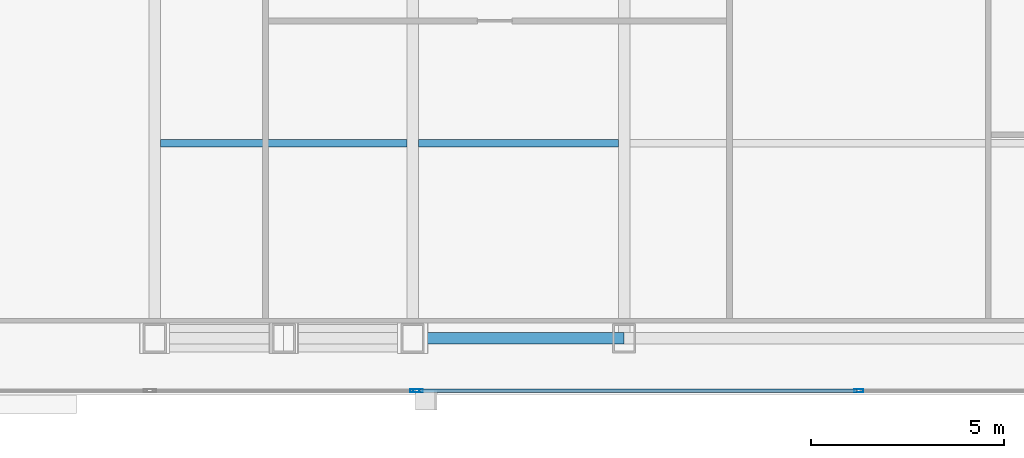
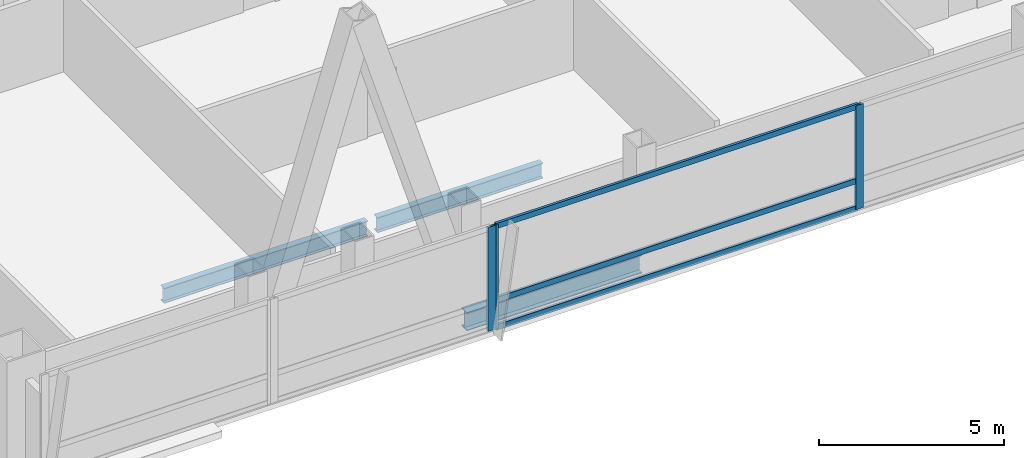
# One storey, part 8 of 32: 6 members, 3 beams, 2 elements without a shape of their own.
"""IFC4 building model written with IfcOpenShell, lengths in metres."""

from ifc_helpers import new_model, si_unit, direction, frame, origin, origin_2d, place, context, subcontext, project, spatial, hollow_rectangle, i_section, extrude, material, material_profile, profile_set, type_object, element, aggregate, save


model = new_model("IFC4")

# Units and contexts
model_context = context("Model", 3, precision=1e-05, world=origin(), true_north=direction((0.0, 1.0)))
body_context = subcontext(model_context, "Body", "Model", "MODEL_VIEW")
ifc_project = project(units=[si_unit("LENGTHUNIT", "METRE"), si_unit("AREAUNIT", "SQUARE_METRE"), si_unit("VOLUMEUNIT", "CUBIC_METRE"), si_unit("PLANEANGLEUNIT", "RADIAN"), si_unit("MASSUNIT", "GRAM", prefix="KILO")], contexts=[model_context])

# Site, building, storey
site_placement = place(None, origin())
site = spatial("IfcSite", under=ifc_project, at=site_placement, CompositionType="ELEMENT")
building_placement = place(site_placement, origin())
building = spatial("IfcBuilding", under=site, at=building_placement, Name="Khoronbel Lancet Exchange", CompositionType="ELEMENT")
storey_placement = place(building_placement, frame((0.0, 0.0, 188.60009765625)))
storey = spatial("IfcBuildingStorey", under=building, at=storey_placement, Name="L47", CompositionType="ELEMENT", Elevation=188.60009765625)

# Beams
ifc_material_1 = material(Name="Steel S355", Category="steel")
ifc_material_profile_1 = material_profile(ifc_material_1, i_section(OverallWidth=0.199951171875, OverallDepth=0.5, WebThickness=0.01025390625, FlangeThickness=0.01611328125, at=origin_2d()), Name="IPE 500")
ifc_profile_set_1 = profile_set([ifc_material_profile_1], Name="Steel S355")
beam_type_1 = type_object("IfcBeamType", Name="BM-BJ3", PredefinedType="JOIST", material=ifc_profile_set_1)
beam_1_placement = place(storey_placement, frame((18.375, 15.199951171875, -0.41015625), z_axis=(1.0, 0.0, 0.0), x_axis=(0.0, 1.0, 0.0)))
element("IfcBeam", 1, at=beam_1_placement, inside=storey, type_object=beam_type_1, Name="Level L47 secondary composite joist J01", PredefinedType="JOIST", context=body_context, shape_type="SweptSolid", body=[
    extrude(i_section(OverallWidth=0.199951171875, OverallDepth=0.5, WebThickness=0.01025390625, FlangeThickness=0.01611328125, at=origin_2d()), origin(), (0.0, 0.0, 1.0), 6.375),
])
beam_2_placement = place(storey_placement, frame((25.050048828125, 15.199951171875, -0.41015625), z_axis=(1.0, 0.0, 0.0), x_axis=(0.0, 1.0, 0.0)))
element("IfcBeam", 2, at=beam_2_placement, inside=storey, type_object=beam_type_1, Name="Level L47 secondary composite joist J02", PredefinedType="JOIST", context=body_context, shape_type="SweptSolid", body=[
    extrude(i_section(OverallWidth=0.199951171875, OverallDepth=0.5, WebThickness=0.01025390625, FlangeThickness=0.01611328125, at=origin_2d()), origin(), (0.0, 0.0, 1.0), 5.175048828125),
])
ifc_material_profile_2 = material_profile(ifc_material_1, i_section(OverallWidth=0.300048828125, OverallDepth=0.60009765625, WebThickness=0.015380859375, FlangeThickness=0.030029296875, at=origin_2d()), Name="HEB 600")
ifc_profile_set_2 = profile_set([ifc_material_profile_2], Name="Steel S355")
beam_type_2 = type_object("IfcBeamType", Name="BM-BSP2", PredefinedType="SPANDREL", material=ifc_profile_set_2)
beam_3_placement = place(storey_placement, frame((24.89990234375, 10.14990234375, -0.460205078125), z_axis=(1.0, 0.0, 0.0), x_axis=(0.0, 1.0, 0.0)))
element("IfcBeam", 3, at=beam_3_placement, inside=storey, type_object=beam_type_2, Name="Level L47 perimeter spandrel beam SP03", PredefinedType="SPANDREL", context=body_context, shape_type="SweptSolid", body=[
    extrude(i_section(OverallWidth=0.300048828125, OverallDepth=0.60009765625, WebThickness=0.015380859375, FlangeThickness=0.030029296875, at=origin_2d()), origin(), (0.0, 0.0, 1.0), 5.47509765625),
])

# Curtain wall, member
ifc_material_2 = material(Name="Low-E Solar Control Insulating Glass", Category="glass")
curtain_wall_type = type_object("IfcCurtainWallType", Name="CW-3", PredefinedType="NOTDEFINED", material=ifc_material_2)
curtain_wall_1_placement = place(storey_placement, origin())
curtain_wall_1 = element("IfcCurtainWall", 4, at=curtain_wall_1_placement, inside=storey, type_object=curtain_wall_type, Name="Unitised curtain wall CW-L47-SWB", PredefinedType="NOTDEFINED")
ifc_material_3 = material(Name="Bronze-Anodised Aluminium 6063-T6", Category="aluminium")
ifc_material_profile_3 = material_profile(ifc_material_3, hollow_rectangle(XDim=0.0849609375, YDim=0.239990234375, WallThickness=0.006103515625, at=origin_2d()), Name="ALU MULLION 85x240")
ifc_profile_set_3 = profile_set([ifc_material_profile_3], Name="Bronze-Anodised Aluminium 6063-T6")
member_type_1 = type_object("IfcMemberType", Name="MEM-CWM1", PredefinedType="MULLION", material=ifc_profile_set_3)
member_1_placement = place(storey_placement, frame((24.95751953125, 8.7900390625, 0.0), z_axis=(0.0, 0.0, 1.0), x_axis=(0.0, 1.0, 0.0)))
member_1 = element("IfcMember", 5, at=member_1_placement, type_object=member_type_1, Name="CW3 mullion 2", PredefinedType="MULLION", context=body_context, shape_type="SweptSolid", body=[
    extrude(hollow_rectangle(XDim=0.0849609375, YDim=0.239990234375, WallThickness=0.006103515625, at=origin_2d()), origin(), (0.0, 0.0, 1.0), 3.43994140625),
])
aggregate(curtain_wall_1, [member_1])

# Curtain wall, members
curtain_wall_2_placement = place(storey_placement, origin())
curtain_wall_2 = element("IfcCurtainWall", 6, at=curtain_wall_2_placement, inside=storey, type_object=curtain_wall_type, Name="Unitised curtain wall CW-L47-SCV", PredefinedType="NOTDEFINED")
member_2_placement = place(storey_placement, frame((25.04248046875, 8.7900390625, 0.0), z_axis=(0.0, 0.0, 1.0), x_axis=(0.0, 1.0, 0.0)))
member_2 = element("IfcMember", 7, at=member_2_placement, type_object=member_type_1, Name="CW3 mullion 1", PredefinedType="MULLION", context=body_context, shape_type="SweptSolid", body=[
    extrude(hollow_rectangle(XDim=0.0849609375, YDim=0.239990234375, WallThickness=0.006103515625, at=origin_2d()), origin(), (0.0, 0.0, 1.0), 3.43994140625),
])
member_3_placement = place(storey_placement, frame((36.449951171875, 8.7900390625, 0.0), z_axis=(0.0, 0.0, 1.0), x_axis=(0.0, 1.0, 0.0)))
member_3 = element("IfcMember", 8, at=member_3_placement, type_object=member_type_1, Name="CW3 mullion 2", PredefinedType="MULLION", context=body_context, shape_type="SweptSolid", body=[
    extrude(hollow_rectangle(XDim=0.0849609375, YDim=0.239990234375, WallThickness=0.006103515625, at=origin_2d()), origin(), (0.0, 0.0, 1.0), 3.43994140625),
])
ifc_material_profile_4 = material_profile(ifc_material_3, hollow_rectangle(XDim=0.0849609375, YDim=0.179931640625, WallThickness=0.0048828125, at=origin_2d()), Name="ALU TRANSOM 85x180")
ifc_profile_set_4 = profile_set([ifc_material_profile_4], Name="Bronze-Anodised Aluminium 6063-T6")
member_type_2 = type_object("IfcMemberType", Name="MEM-CWT1", PredefinedType="USERDEFINED", material=ifc_profile_set_4)
member_4_placement = place(storey_placement, frame((25.0849609375, 8.7900390625, 0.04248046875), z_axis=(1.0, 0.0, 0.0), x_axis=(0.0, 1.0, 0.0)))
member_4 = element("IfcMember", 9, at=member_4_placement, type_object=member_type_2, Name="CW3 transom 1.1", ObjectType="TRANSOM", PredefinedType="USERDEFINED", context=body_context, shape_type="SweptSolid", body=[
    extrude(hollow_rectangle(XDim=0.0849609375, YDim=0.179931640625, WallThickness=0.0048828125, at=origin_2d()), origin(), (0.0, 0.0, 1.0), 11.322509765625),
])
member_5_placement = place(storey_placement, frame((25.0849609375, 8.7900390625, 0.949951171875), z_axis=(1.0, 0.0, 0.0), x_axis=(0.0, 1.0, 0.0)))
member_5 = element("IfcMember", 10, at=member_5_placement, type_object=member_type_2, Name="CW3 transom 1.2", ObjectType="TRANSOM", PredefinedType="USERDEFINED", context=body_context, shape_type="SweptSolid", body=[
    extrude(hollow_rectangle(XDim=0.0849609375, YDim=0.179931640625, WallThickness=0.0048828125, at=origin_2d()), origin(), (0.0, 0.0, 1.0), 11.322509765625),
])
member_6_placement = place(storey_placement, frame((25.0849609375, 8.7900390625, 3.3974609375), z_axis=(1.0, 0.0, 0.0), x_axis=(0.0, 1.0, 0.0)))
member_6 = element("IfcMember", 11, at=member_6_placement, type_object=member_type_2, Name="CW3 transom 1.3", ObjectType="TRANSOM", PredefinedType="USERDEFINED", context=body_context, shape_type="SweptSolid", body=[
    extrude(hollow_rectangle(XDim=0.0849609375, YDim=0.179931640625, WallThickness=0.0048828125, at=origin_2d()), origin(), (0.0, 0.0, 1.0), 11.322509765625),
])
aggregate(curtain_wall_2, [member_2, member_3, member_4, member_5, member_6])

save(model, "model.ifc")
